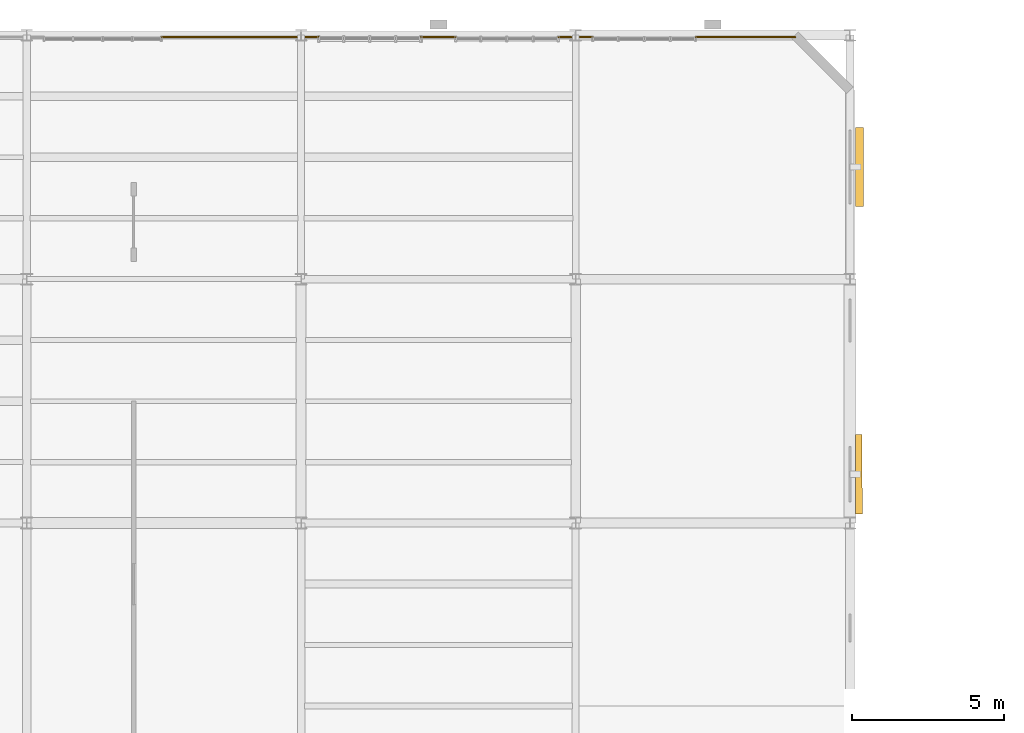
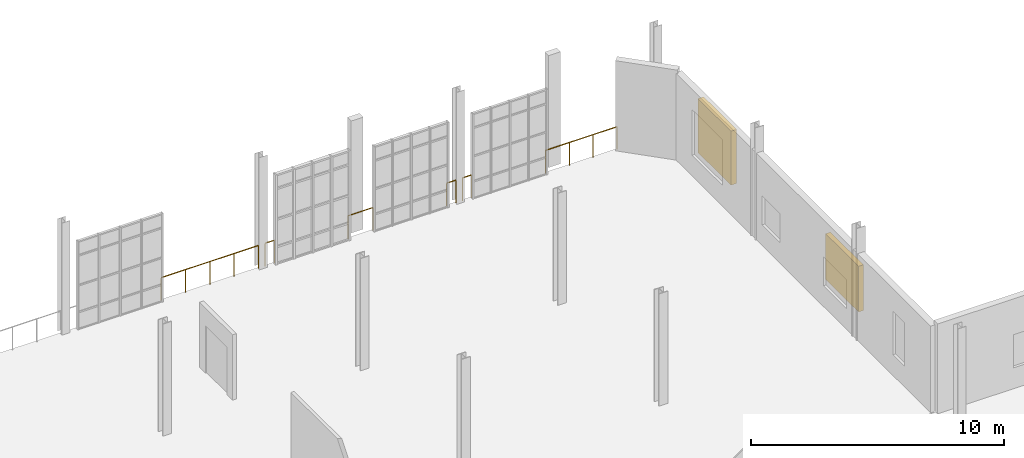
# One storey, part 140 of 142: 6 railings, 2 shading devices.
"""IFC4 building model written with IfcOpenShell, lengths in metres."""

from ifc_helpers import new_model, si_unit, direction, frame, frame_2d, origin, origin_2d, place, context, subcontext, project, spatial, rectangle, circle, extrude, material, type_object, element, save


model = new_model("IFC4")

# Units and contexts
model_context = context("Model", 3, precision=1e-05, world=origin(), true_north=direction((0.0, 1.0)))
body_context = subcontext(model_context, "Body", "Model", "MODEL_VIEW")
ifc_project = project(units=[si_unit("LENGTHUNIT", "METRE"), si_unit("AREAUNIT", "SQUARE_METRE"), si_unit("VOLUMEUNIT", "CUBIC_METRE"), si_unit("PLANEANGLEUNIT", "RADIAN"), si_unit("MASSUNIT", "GRAM", prefix="KILO"), si_unit("THERMODYNAMICTEMPERATUREUNIT", "KELVIN"), si_unit("POWERUNIT", "WATT")], contexts=[model_context])

# Site, building, storey
site_placement = place(None, origin())
site = spatial("IfcSite", under=ifc_project, at=site_placement, CompositionType="ELEMENT")
building_placement = place(site_placement, origin())
building = spatial("IfcBuilding", under=site, at=building_placement, Name="Zelmaris Science Centre", CompositionType="ELEMENT")
storey_placement = place(building_placement, frame((0.0, 0.0, 5.39990234375)))
storey = spatial("IfcBuildingStorey", under=building, at=storey_placement, Name="L01", CompositionType="ELEMENT", Elevation=5.39990234375)

# Railings
ifc_material = material(Name="Architectural bronze alloy C28000")
railing_type = type_object("IfcRailingType", Name="Balustrade GD-01 H1120", PredefinedType="BALUSTRADE", material=ifc_material)
railing_1_placement = place(storey_placement, frame((85.409912109375, 87.93994140625, 0.0)))
element("IfcRailing", 1, at=railing_1_placement, inside=storey, type_object=railing_type, Name="L01 Perimeter safety balustrade 63", PredefinedType="BALUSTRADE", context=body_context, shape_type="SweptSolid", body=[
    extrude(circle(Radius=0.02392578125, at=origin_2d()), frame((0.0, 0.0, 1.09619140625), z_axis=(1.0, 0.0, 0.0), x_axis=(0.0, 1.0, 0.0)), (0.0, 0.0, 1.0), 4.442138671875),
    extrude(circle(Radius=0.02099609375, at=origin_2d()), origin(), (0.0, 0.0, 1.0), 1.072021484375),
    extrude(circle(Radius=0.02099609375, at=origin_2d()), frame((1.110595703125, 0.0, 0.0)), (0.0, 0.0, 1.0), 1.072021484375),
    extrude(circle(Radius=0.02099609375, at=origin_2d()), frame((2.22119140625, 0.0, 0.0)), (0.0, 0.0, 1.0), 1.072021484375),
    extrude(circle(Radius=0.02099609375, at=origin_2d()), frame((3.33154296875, 0.0, 0.0)), (0.0, 0.0, 1.0), 1.072021484375),
    extrude(circle(Radius=0.02099609375, at=origin_2d()), frame((4.442138671875, 0.0, 0.0)), (0.0, 0.0, 1.0), 1.072021484375),
])
railing_2_placement = place(storey_placement, frame((90.14794921875, 87.93994140625, 0.0)))
element("IfcRailing", 2, at=railing_2_placement, inside=storey, type_object=railing_type, Name="L01 Perimeter safety balustrade 64", PredefinedType="BALUSTRADE", context=body_context, shape_type="SweptSolid", body=[
    extrude(circle(Radius=0.02392578125, at=origin_2d()), frame((0.0, 0.0, 1.09619140625), z_axis=(1.0, 0.0, 0.0), x_axis=(0.0, 1.0, 0.0)), (0.0, 0.0, 1.0), 0.422119140625),
    extrude(circle(Radius=0.02099609375, at=origin_2d()), origin(), (0.0, 0.0, 1.0), 1.072021484375),
    extrude(circle(Radius=0.02099609375, at=origin_2d()), frame((0.422119140625, 0.0, 0.0)), (0.0, 0.0, 1.0), 1.072021484375),
])
railing_3_placement = place(storey_placement, frame((93.929931640625, 87.93994140625, 0.0)))
element("IfcRailing", 3, at=railing_3_placement, inside=storey, type_object=railing_type, Name="L01 Perimeter safety balustrade 65", PredefinedType="BALUSTRADE", context=body_context, shape_type="SweptSolid", body=[
    extrude(circle(Radius=0.02392578125, at=origin_2d()), frame((0.0, 0.0, 1.09619140625), z_axis=(1.0, 0.0, 0.0), x_axis=(0.0, 1.0, 0.0)), (0.0, 0.0, 1.0), 1.14013671875),
    extrude(circle(Radius=0.02099609375, at=origin_2d()), origin(), (0.0, 0.0, 1.0), 1.072021484375),
    extrude(circle(Radius=0.02099609375, at=origin_2d()), frame((1.14013671875, 0.0, 0.0)), (0.0, 0.0, 1.0), 1.072021484375),
])
for number, where, name in (
    (4, (98.429931640625, 87.93994140625, 0.0), "L01 Perimeter safety balustrade 66"),
    (5, (99.14794921875, 87.93994140625, 0.0), "L01 Perimeter safety balustrade 67"),
):
    element("IfcRailing", number, at=place(storey_placement, frame(where)), inside=storey, type_object=railing_type, Name=name, PredefinedType="BALUSTRADE", context=body_context, shape_type="SweptSolid", body=[
        extrude(circle(Radius=0.02392578125, at=origin_2d()), frame((0.0, 0.0, 1.09619140625), z_axis=(1.0, 0.0, 0.0), x_axis=(0.0, 1.0, 0.0)), (0.0, 0.0, 1.0), 0.422119140625),
        extrude(circle(Radius=0.02099609375, at=origin_2d()), origin(), (0.0, 0.0, 1.0), 1.072021484375),
        extrude(circle(Radius=0.02099609375, at=origin_2d()), frame((0.422119140625, 0.0, 0.0)), (0.0, 0.0, 1.0), 1.072021484375),
    ])
railing_4_placement = place(storey_placement, frame((102.929931640625, 87.93994140625, 0.0)))
element("IfcRailing", 6, at=railing_4_placement, inside=storey, type_object=railing_type, Name="L01 Perimeter safety balustrade 68", PredefinedType="BALUSTRADE", context=body_context, shape_type="SweptSolid", body=[
    extrude(circle(Radius=0.02392578125, at=origin_2d()), frame((0.0, 0.0, 1.09619140625), z_axis=(1.0, 0.0, 0.0), x_axis=(0.0, 1.0, 0.0)), (0.0, 0.0, 1.0), 3.27001953125),
    extrude(circle(Radius=0.02099609375, at=origin_2d()), origin(), (0.0, 0.0, 1.0), 1.072021484375),
    extrude(circle(Radius=0.02099609375, at=origin_2d()), frame((1.090087890625, 0.0, 0.0)), (0.0, 0.0, 1.0), 1.072021484375),
    extrude(circle(Radius=0.02099609375, at=origin_2d()), frame((2.179931640625, 0.0, 0.0)), (0.0, 0.0, 1.0), 1.072021484375),
    extrude(circle(Radius=0.02099609375, at=origin_2d()), frame((3.27001953125, 0.0, 0.0)), (0.0, 0.0, 1.0), 1.072021484375),
])

# Shading devices
shading_device_type_1 = type_object("IfcShadingDeviceType", Name="Bronze Storm Louvre LV-01 2600x2200", PredefinedType="JALOUSIE", material=ifc_material)
shading_device_1_placement = place(storey_placement, frame((108.29150390625, 74.901611328125, 0.9501953125), z_axis=(0.0, 0.0, 1.0), x_axis=(9.3896713e-05, -0.999999995592, 0.0)))
element("IfcShadingDevice", 7, at=shading_device_1_placement, inside=storey, type_object=shading_device_type_1, Name="L01 Bronze storm louvre 7", PredefinedType="JALOUSIE", context=body_context, shape_type="SweptSolid", body=[
    extrude(rectangle(XDim=2.60009765625, YDim=0.219970703125, at=frame_2d((1.300048828125, 0.0))), origin(), (0.0, 0.0, 1.0), 2.199951171875),
])
shading_device_type_2 = type_object("IfcShadingDeviceType", Name="Bronze Storm Louvre LV-03 2600x2600", PredefinedType="JALOUSIE", material=ifc_material)
shading_device_2_placement = place(storey_placement, frame((108.31005859375, 84.980224609375, 0.9501953125), z_axis=(0.0, 0.0, 1.0), x_axis=(9.3905531e-05, -0.999999995591, 0.0)))
element("IfcShadingDevice", 8, at=shading_device_2_placement, inside=storey, type_object=shading_device_type_2, Name="L01 Bronze storm louvre 6", PredefinedType="JALOUSIE", context=body_context, shape_type="SweptSolid", body=[
    extrude(rectangle(XDim=2.599853515625, YDim=0.260009765625, at=frame_2d((1.2998046875, 0.0))), origin(), (0.0, 0.0, 1.0), 2.599853515625),
])

save(model, "model.ifc")
